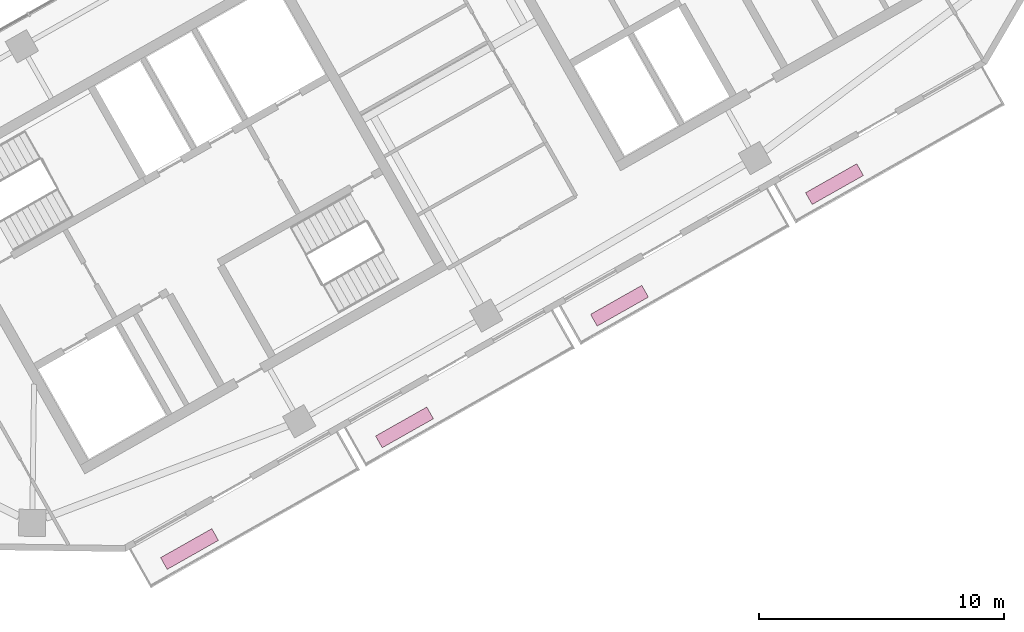
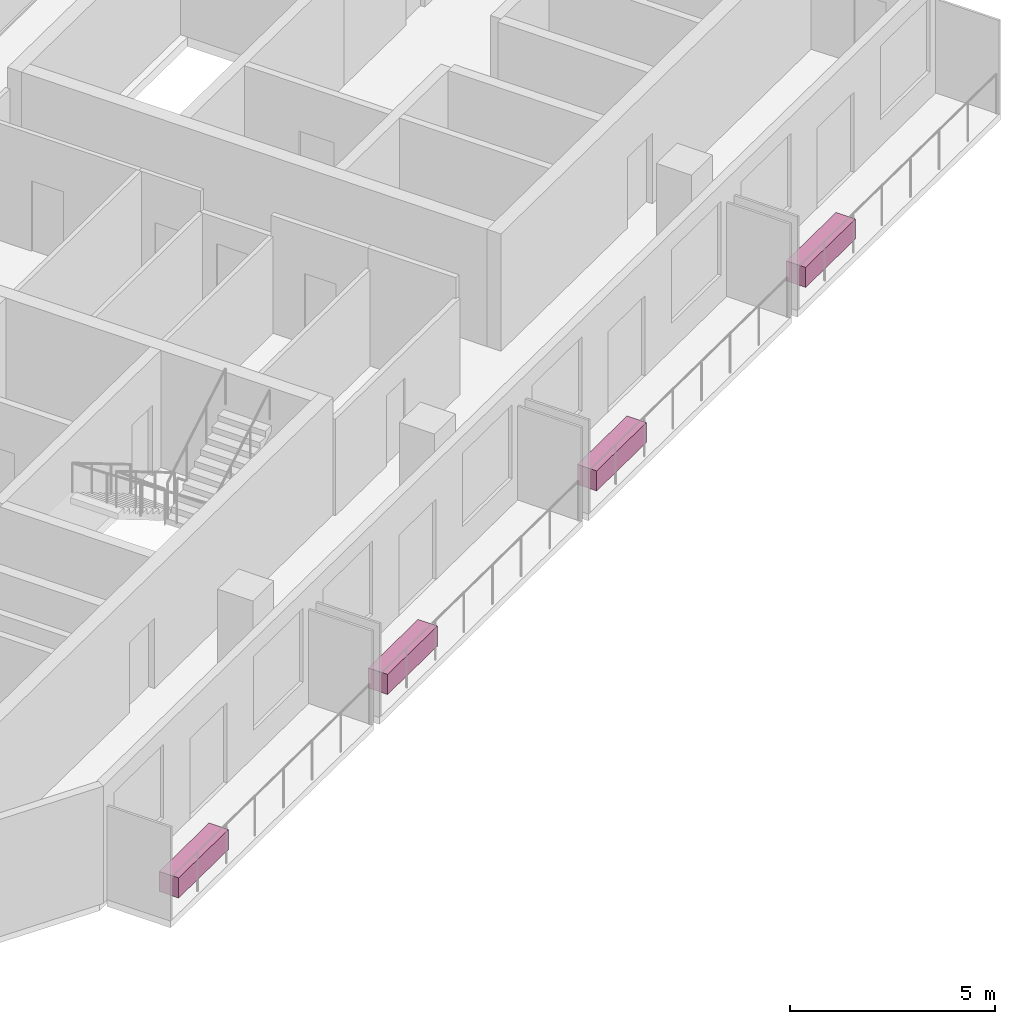
# One storey, part 10 of 10: 4 furnishings.
"""IFC4 building model written with IfcOpenShell, lengths in metres."""

from ifc_helpers import new_model, si_unit, direction, frame, origin, origin_2d, place, context, subcontext, project, spatial, rectangle, extrude, material, type_object, element, save


model = new_model("IFC4")

# Units and contexts
model_context = context("Model", 3, precision=1e-05, world=origin(), true_north=direction((0.0, 1.0)))
body_context = subcontext(model_context, "Body", "Model", "MODEL_VIEW")
ifc_project = project(units=[si_unit("LENGTHUNIT", "METRE"), si_unit("AREAUNIT", "SQUARE_METRE"), si_unit("VOLUMEUNIT", "CUBIC_METRE"), si_unit("PLANEANGLEUNIT", "RADIAN"), si_unit("MASSUNIT", "GRAM", prefix="KILO")], contexts=[model_context])

# Site, building, storey
site_placement = place(None, origin())
site = spatial("IfcSite", under=ifc_project, at=site_placement, CompositionType="ELEMENT")
building_placement = place(site_placement, origin())
building = spatial("IfcBuilding", under=site, at=building_placement, Name="Binnacle Exchange Tower", CompositionType="ELEMENT")
storey_placement = place(building_placement, frame((0.0, 0.0, 343.10009765625)))
storey = spatial("IfcBuildingStorey", under=building, at=storey_placement, Name="L78", CompositionType="ELEMENT", Elevation=343.10009765625)

# Furnishings
ifc_material = material(Name="Concrete C35/45", Category="concrete")
furnishing_element_type = type_object("IfcFurnishingElementType", Name="PLANTER 2400x550x600", material=ifc_material)
for number, where, z_axis, x_axis, name in (
    (1, (-35.44677734375, 26.428466796875, -0.000244140625), (0.0, 0.0, 1.0), (0.87035569594, 0.492423560103, 0.0), "Planter H07-B00a L78"),
    (2, (-26.683837890625, 31.38623046875, -0.000244140625), (0.0, 0.0, 1.0), (0.87035569594, 0.492423560103, 0.0), "Planter H07-B01a L78"),
    (3, (-17.9208984375, 36.34423828125, -0.000244140625), (0.0, 0.0, 1.0), (0.87035569594, 0.492423560103, 0.0), "Planter H07-B02a L78"),
    (4, (-9.158203125, 41.302001953125, -0.000244140625), (0.0, 0.0, 1.0), (0.87035569594, 0.492423560103, 0.0), "Planter H07-B03a L78"),
):
    element("IfcFurnishingElement", number, at=place(storey_placement, frame(where, z_axis=z_axis, x_axis=x_axis)), inside=storey, type_object=furnishing_element_type, Name=name, ObjectType="PLANTER", context=body_context, shape_type="SweptSolid", body=[
        extrude(rectangle(XDim=2.39990234375, YDim=0.550048828125, at=origin_2d()), origin(), (0.0, 0.0, 1.0), 0.60009765625),
    ])

save(model, "model.ifc")
